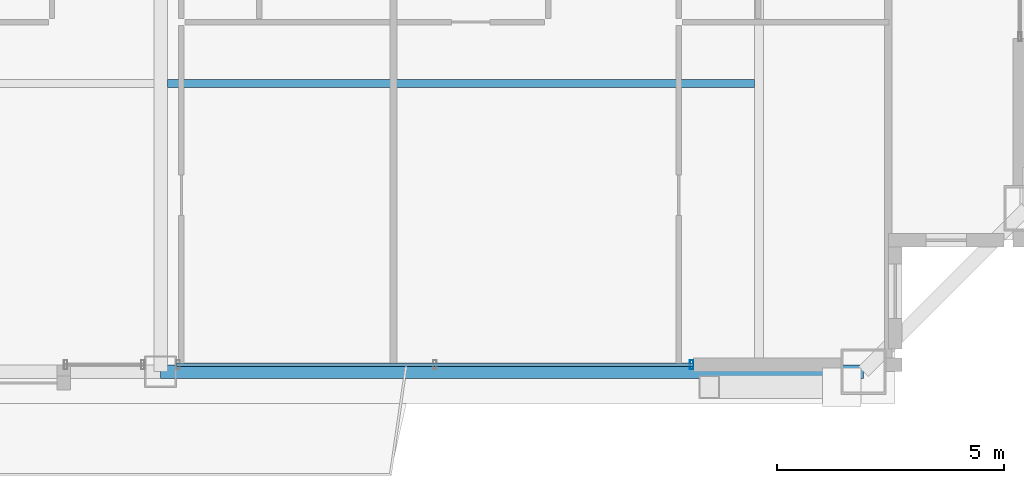
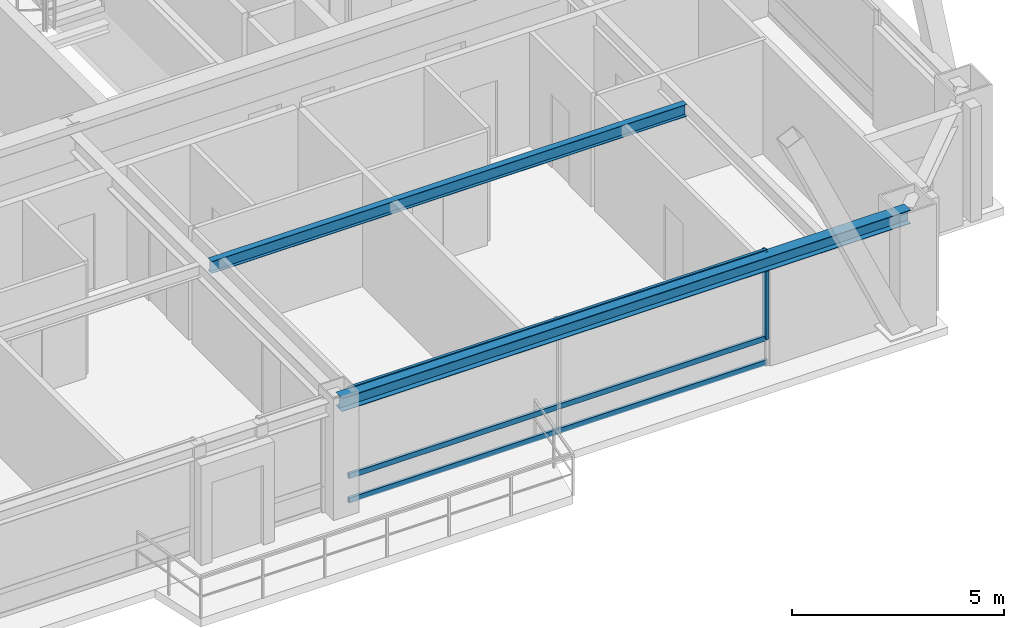
# One storey, part 9 of 35: 4 members, 2 beams, 1 element without a shape of its own.
"""IFC4 building model written with IfcOpenShell, lengths in metres."""

from ifc_helpers import new_model, si_unit, direction, frame, origin, origin_2d, place, context, subcontext, project, spatial, hollow_rectangle, i_section, extrude, source, transform, mapped, material, layer, layer_set, material_profile, profile_set, type_object, element, aggregate, save


model = new_model("IFC4")

# Units and contexts
model_context = context("Model", 3, precision=1e-05, world=origin(), true_north=direction((0.0, 1.0)))
body_context = subcontext(model_context, "Body", "Model", "MODEL_VIEW")
ifc_project = project(units=[si_unit("LENGTHUNIT", "METRE"), si_unit("AREAUNIT", "SQUARE_METRE"), si_unit("VOLUMEUNIT", "CUBIC_METRE"), si_unit("PLANEANGLEUNIT", "RADIAN"), si_unit("MASSUNIT", "GRAM", prefix="KILO"), si_unit("THERMODYNAMICTEMPERATUREUNIT", "KELVIN"), si_unit("POWERUNIT", "WATT")], contexts=[model_context])

# Site, building, storey
site_placement = place(None, origin())
site = spatial("IfcSite", under=ifc_project, at=site_placement, CompositionType="ELEMENT")
building_placement = place(site_placement, origin())
building = spatial("IfcBuilding", under=site, at=building_placement, Name="Yuzanri Waterfront Tower", CompositionType="ELEMENT")
storey_placement = place(building_placement, frame((0.0, 0.0, 314.699951171875)))
storey = spatial("IfcBuildingStorey", under=building, at=storey_placement, Name="L84", CompositionType="ELEMENT", Elevation=314.699951171875)

# Beams
ifc_material_1 = material(Name="Steel Q355B", Category="steel")
ifc_material_profile_1 = material_profile(ifc_material_1, i_section(OverallWidth=0.175048828125, OverallDepth=0.35009765625, WebThickness=0.007080078125, FlangeThickness=0.010986328125, at=origin_2d()), Name="HN 350x175x7x11")
ifc_profile_set_1 = profile_set([ifc_material_profile_1], Name="Steel Q355B")
beam_type_1 = type_object("IfcBeamType", Name="Floor Joist Q355B HN 350x175", PredefinedType="JOIST", material=ifc_profile_set_1)
shared_shape_1 = source(origin(), body_context, "Body", "SweptSolid", [
    extrude(i_section(OverallWidth=0.175048828125, OverallDepth=0.35009765625, WebThickness=0.007080078125, FlangeThickness=0.010986328125, at=origin_2d()), origin(), (0.0, 0.0, 1.0), 12.9501953125),
])
beam_1_placement = place(storey_placement, frame((37.14990234375, 13.050048828125, 3.10498046875), z_axis=(1.0, 0.0, 0.0), x_axis=(0.0, 1.0, 0.0)))
element("IfcBeam", 1, at=beam_1_placement, inside=storey, type_object=beam_type_1, Name="L84 South Bay Joist E", PredefinedType="JOIST", context=body_context, shape_type="MappedRepresentation", body=[
    mapped(shared_shape_1, transform((0.0, 0.0, 0.0), scale=1.0)),
])
ifc_material_2 = material(Name="Steel Q355B", Category="steel")
ifc_material_profile_2 = material_profile(ifc_material_2, i_section(OverallWidth=0.300048828125, OverallDepth=0.389892578125, WebThickness=0.010009765625, FlangeThickness=0.01611328125, at=origin_2d()), Name="HM 390x300x10x16")
ifc_profile_set_2 = profile_set([ifc_material_profile_2], Name="Steel Q355B")
beam_type_2 = type_object("IfcBeamType", Name="Perimeter Spandrel Q355B HM 390x300", PredefinedType="SPANDREL", material=ifc_profile_set_2)
shared_shape_2 = source(origin(), body_context, "Body", "SweptSolid", [
    extrude(i_section(OverallWidth=0.300048828125, OverallDepth=0.389892578125, WebThickness=0.010009765625, FlangeThickness=0.01611328125, at=origin_2d()), origin(), (0.0, 0.0, 1.0), 15.5),
])
beam_2_placement = place(storey_placement, frame((37.0, 6.699951171875, 3.0849609375), z_axis=(1.0, 0.0, 0.0), x_axis=(0.0, 1.0, 0.0)))
element("IfcBeam", 2, at=beam_2_placement, inside=storey, type_object=beam_type_2, Name="L84 Perimeter Spandrel S2-S3", PredefinedType="SPANDREL", context=body_context, shape_type="MappedRepresentation", body=[
    mapped(shared_shape_2, transform((0.0, 0.0, 0.0), scale=1.0)),
])

# Curtain wall, members
ifc_material_3 = material(Name="Anodized Architectural Bronze", Category="metal")
ifc_layer = layer(ifc_material_3, 0.159912109375)
ifc_layer_set = layer_set([ifc_layer], Name="Anodized Architectural Bronze")
curtain_wall_type = type_object("IfcCurtainWallType", Name="Anodized Bronze High-Rise Penthouse High-Wind Unitized Curtain Wall 6900", PredefinedType="NOTDEFINED", material=ifc_layer_set)
curtain_wall_placement = place(storey_placement, origin())
curtain_wall = element("IfcCurtainWall", 3, at=curtain_wall_placement, inside=storey, type_object=curtain_wall_type, Name="L84 Curtain Wall CW-L84-SR", PredefinedType="NOTDEFINED")
ifc_material_4 = material(Name="Anodized Architectural Bronze", Category="metal")
ifc_material_profile_3 = material_profile(ifc_material_4, hollow_rectangle(XDim=0.074951171875, YDim=0.199951171875, WallThickness=0.00390625, at=origin_2d()), Name="CWM 75x200")
ifc_profile_set_3 = profile_set([ifc_material_profile_3], Name="Anodized Architectural Bronze")
member_type_1 = type_object("IfcMemberType", Name="Anodized Bronze Primary Curtain-Wall Mullion 75x200", PredefinedType="MULLION", material=ifc_profile_set_3)
shared_shape_3 = source(origin(), body_context, "Body", "SweptSolid", [
    extrude(hollow_rectangle(XDim=0.074951171875, YDim=0.199951171875, WallThickness=0.00390625, at=origin_2d()), origin(), (0.0, 0.0, 1.0), 2.52392578125),
])
member_1_placement = place(storey_placement, frame((48.7099609375, 6.85009765625, 0.756103515625), z_axis=(0.0, 0.0, 1.0), x_axis=(1.0, 0.0, 0.0)))
member_1 = element("IfcMember", 4, at=member_1_placement, type_object=member_type_1, Name="CW-L84-SR Upper Mullion 02", PredefinedType="MULLION", context=body_context, shape_type="MappedRepresentation", body=[
    mapped(shared_shape_3, transform((0.0, 0.0, 0.0), scale=1.0)),
])
ifc_material_5 = material(Name="Anodized Architectural Bronze", Category="metal")
ifc_material_profile_4 = material_profile(ifc_material_5, hollow_rectangle(XDim=0.074951171875, YDim=0.14990234375, WallThickness=0.00390625, at=origin_2d()), Name="CWT 75x150")
ifc_profile_set_4 = profile_set([ifc_material_profile_4], Name="Anodized Architectural Bronze")
member_type_2 = type_object("IfcMemberType", Name="Anodized Bronze Primary Curtain-Wall Transom 75x150", PredefinedType="USERDEFINED", material=ifc_profile_set_4)
shared_shape_4 = source(origin(), body_context, "Body", "SweptSolid", [
    extrude(hollow_rectangle(XDim=0.074951171875, YDim=0.14990234375, WallThickness=0.00390625, at=origin_2d()), origin(), (0.0, 0.0, 1.0), 11.39990234375),
])
member_2_placement = place(storey_placement, frame((37.35009765625, 6.85009765625, 0.050048828125), z_axis=(1.0, 0.0, 0.0), x_axis=(0.0, 1.0, 0.0)))
member_2 = element("IfcMember", 5, at=member_2_placement, type_object=member_type_2, Name="CW-L84-SR Transom 1", ObjectType="TRANSOM", PredefinedType="USERDEFINED", context=body_context, shape_type="MappedRepresentation", body=[
    mapped(shared_shape_4, transform((0.0, 0.0, 0.0), scale=1.0)),
])
member_3_placement = place(storey_placement, frame((37.35009765625, 6.85009765625, 0.754150390625), z_axis=(1.0, 0.0, 0.0), x_axis=(0.0, 1.0, 0.0)))
member_3 = element("IfcMember", 6, at=member_3_placement, type_object=member_type_2, Name="CW-L84-SR Transom 2", ObjectType="TRANSOM", PredefinedType="USERDEFINED", context=body_context, shape_type="MappedRepresentation", body=[
    mapped(shared_shape_4, transform((0.0, 0.0, 0.0), scale=1.0)),
])
member_4_placement = place(storey_placement, frame((37.35009765625, 6.85009765625, 3.22998046875), z_axis=(1.0, 0.0, 0.0), x_axis=(0.0, 1.0, 0.0)))
member_4 = element("IfcMember", 7, at=member_4_placement, type_object=member_type_2, Name="CW-L84-SR Transom 3", ObjectType="TRANSOM", PredefinedType="USERDEFINED", context=body_context, shape_type="MappedRepresentation", body=[
    mapped(shared_shape_4, transform((0.0, 0.0, 0.0), scale=1.0)),
])
aggregate(curtain_wall, [member_1, member_2, member_3, member_4])

save(model, "model.ifc")
